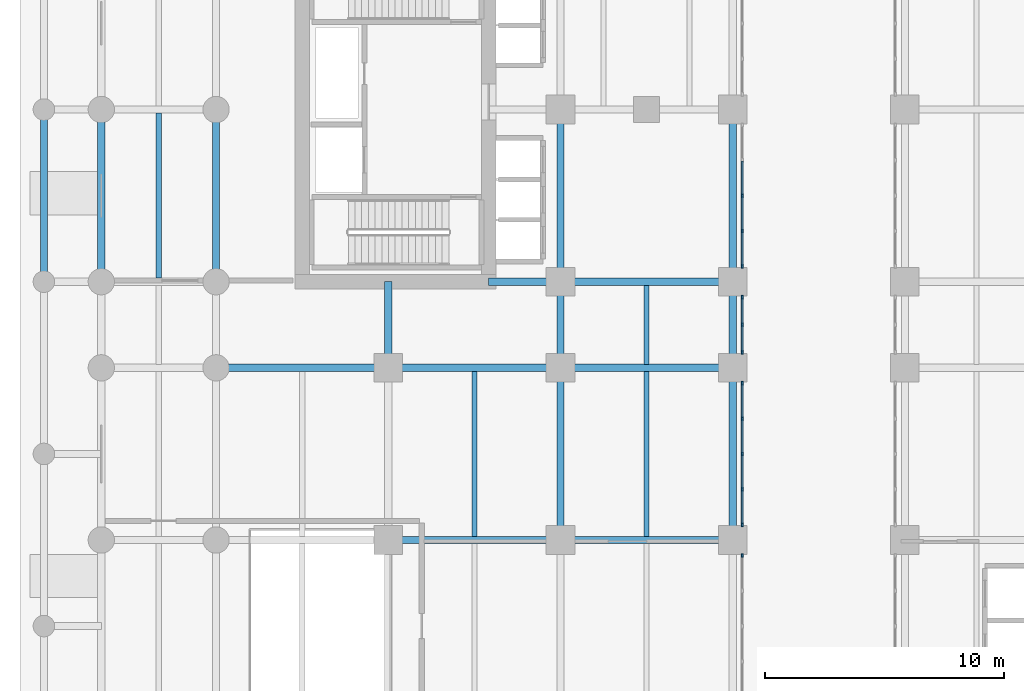
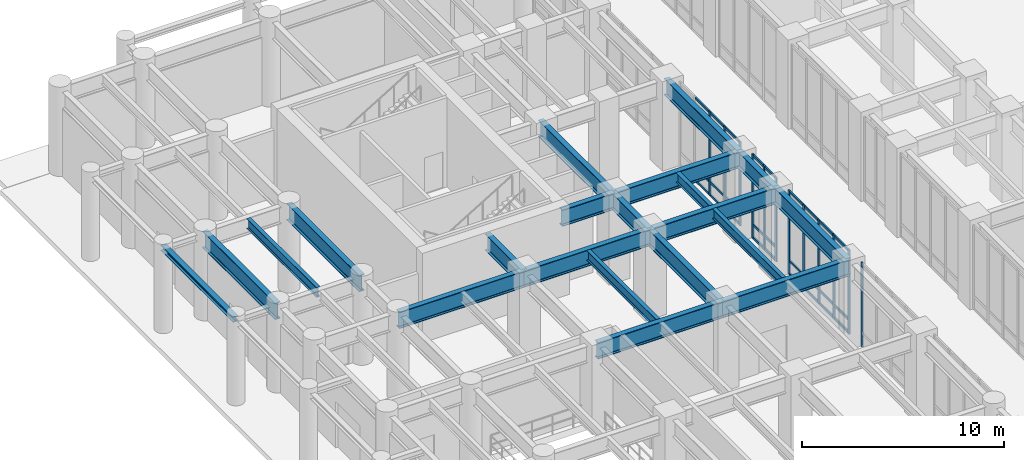
# One storey, part 3 of 23: 39 members, 21 beams, 4 elements without a shape of their own.
"""IFC4 building model written with IfcOpenShell, lengths in metres."""

from ifc_helpers import new_model, si_unit, derived_unit, direction, frame, origin, origin_2d, place, context, subcontext, project, spatial, rectangle, i_section, extrude, source, transform, mapped, material, layer, layer_set, material_profile, profile_set, type_object, type_shapes, element, aggregate, save


model = new_model("IFC4")

# Units and contexts
model_context = context("Model", 3, precision=1e-05, world=origin(), true_north=direction((0.0, 1.0)))
body_context = subcontext(model_context, "Body", "Model", "MODEL_VIEW")
ifc_project = project(units=[si_unit("LENGTHUNIT", "METRE"), si_unit("AREAUNIT", "SQUARE_METRE"), si_unit("VOLUMEUNIT", "CUBIC_METRE"), si_unit("PLANEANGLEUNIT", "RADIAN"), si_unit("MASSUNIT", "GRAM", prefix="KILO"), si_unit("THERMODYNAMICTEMPERATUREUNIT", "KELVIN"), si_unit("POWERUNIT", "WATT"), derived_unit("THERMALTRANSMITTANCEUNIT", [(si_unit("POWERUNIT", "WATT"), 1), (si_unit("AREAUNIT", "SQUARE_METRE"), -1), (si_unit("THERMODYNAMICTEMPERATUREUNIT", "KELVIN"), -1)])], contexts=[model_context])

# Site, building, storey
site_placement = place(None, origin())
site = spatial("IfcSite", under=ifc_project, at=site_placement, CompositionType="ELEMENT")
building_placement = place(site_placement, origin())
building = spatial("IfcBuilding", under=site, at=building_placement, Name="Zahravan Archway Hotel and Residences", CompositionType="ELEMENT")
storey_placement = place(building_placement, origin())
storey = spatial("IfcBuildingStorey", under=building, at=storey_placement, Name="L00", CompositionType="ELEMENT", Elevation=0.0)

# Beams
ifc_material_1 = material(Name="Structural Steel S355J2", Category="steel")
ifc_material_profile_1 = material_profile(ifc_material_1, i_section(OverallWidth=0.300048828125, OverallDepth=1.0, WebThickness=0.01904296875, FlangeThickness=0.035888671875, FilletRadius=0.030029296875, at=origin_2d()), Name="HEB 1000", Category="steel")
ifc_profile_set_1 = profile_set([ifc_material_profile_1], Name="Structural Steel S355J2")
beam_type_1 = type_object("IfcBeamType", Name="BM-PRI-HEB1000", PredefinedType="BEAM", material=ifc_profile_set_1)
shared_shape_1 = source(origin(), body_context, "Body", "SweptSolid", [
    extrude(i_section(OverallWidth=0.300048828125, OverallDepth=1.0, WebThickness=0.01904296875, FlangeThickness=0.035888671875, FilletRadius=0.030029296875, at=origin_2d()), origin(), (0.0, 0.0, 1.0), 7.199951171875),
])
for number, where, z_axis, x_axis, name in (
    (1, (7.199951171875, 14.39990234375, 4.60009765625), (1.0, 0.0, 0.0), (0.0, 1.0, 0.0), "L00 Primary Girder EW-21"),
    (2, (0.0, 21.60009765625, 4.60009765625), (1.0, 0.0, 0.0), (0.0, 1.0, 0.0), "L00 Primary Girder EW-28"),
    (3, (7.199951171875, 21.60009765625, 4.60009765625), (1.0, 0.0, 0.0), (0.0, 1.0, 0.0), "L00 Primary Girder EW-29"),
    (4, (-4.800048828125, 25.199951171875, 4.60009765625), (0.0, 1.0, 0.0), (-1.0, 0.0, 0.0), "L00 Primary Girder NS-66"),
    (5, (0.0, 25.199951171875, 4.60009765625), (0.0, 1.0, 0.0), (-1.0, 0.0, 0.0), "L00 Primary Girder NS-73"),
    (6, (14.39990234375, 25.199951171875, 4.60009765625), (0.0, 1.0, 0.0), (-1.0, 0.0, 0.0), "L00 Primary Girder NS-85"),
    (7, (21.60009765625, 25.199951171875, 4.60009765625), (0.0, 1.0, 0.0), (-1.0, 0.0, 0.0), "L00 Primary Girder NS-92"),
):
    element("IfcBeam", number, at=place(storey_placement, frame(where, z_axis=z_axis, x_axis=x_axis)), inside=storey, type_object=beam_type_1, Name=name, PredefinedType="BEAM", context=body_context, shape_type="MappedRepresentation", body=[
        mapped(shared_shape_1, transform((0.0, 0.0, 0.0), scale=1.0)),
    ])
shared_shape_2 = source(origin(), body_context, "Body", "SweptSolid", [
    extrude(i_section(OverallWidth=0.300048828125, OverallDepth=1.0, WebThickness=0.01904296875, FlangeThickness=0.035888671875, FilletRadius=0.030029296875, at=origin_2d()), origin(), (0.0, 0.0, 1.0), 7.2001953125),
])
for number, where, z_axis, x_axis, name in (
    (8, (14.39990234375, 14.39990234375, 4.60009765625), (1.0, 0.0, 0.0), (0.0, 1.0, 0.0), "L00 Primary Girder EW-22"),
    (9, (14.39990234375, 21.60009765625, 4.60009765625), (1.0, 0.0, 0.0), (0.0, 1.0, 0.0), "L00 Primary Girder EW-30"),
    (10, (14.39990234375, 25.199951171875, 4.60009765625), (1.0, 0.0, 0.0), (0.0, 1.0, 0.0), "L00 Primary Girder EW-39"),
    (11, (14.39990234375, 14.39990234375, 4.60009765625), (0.0, 1.0, 0.0), (-1.0, 0.0, 0.0), "L00 Primary Girder NS-83"),
    (12, (21.60009765625, 14.39990234375, 4.60009765625), (0.0, 1.0, 0.0), (-1.0, 0.0, 0.0), "L00 Primary Girder NS-90"),
):
    element("IfcBeam", number, at=place(storey_placement, frame(where, z_axis=z_axis, x_axis=x_axis)), inside=storey, type_object=beam_type_1, Name=name, PredefinedType="BEAM", context=body_context, shape_type="MappedRepresentation", body=[
        mapped(shared_shape_2, transform((0.0, 0.0, 0.0), scale=1.0)),
    ])
shared_shape_3 = source(origin(), body_context, "Body", "SweptSolid", [
    extrude(i_section(OverallWidth=0.300048828125, OverallDepth=1.0, WebThickness=0.01904296875, FlangeThickness=0.035888671875, FilletRadius=0.030029296875, at=origin_2d()), origin(), (0.0, 0.0, 1.0), 3.0),
])
beam_1_placement = place(storey_placement, frame((11.39990234375, 25.199951171875, 4.60009765625), z_axis=(1.0, 0.0, 0.0), x_axis=(0.0, 1.0, 0.0)))
element("IfcBeam", 13, at=beam_1_placement, inside=storey, type_object=beam_type_1, Name="L00 Primary Girder EW-38", PredefinedType="BEAM", context=body_context, shape_type="MappedRepresentation", body=[
    mapped(shared_shape_3, transform((0.0, 0.0, 0.0), scale=1.0)),
])
shared_shape_4 = source(origin(), body_context, "Body", "SweptSolid", [
    extrude(i_section(OverallWidth=0.300048828125, OverallDepth=1.0, WebThickness=0.01904296875, FlangeThickness=0.035888671875, FilletRadius=0.030029296875, at=origin_2d()), origin(), (0.0, 0.0, 1.0), 3.599853515625),
])
for number, where, z_axis, x_axis, name in (
    (14, (7.199951171875, 21.60009765625, 4.60009765625), (0.0, 1.0, 0.0), (-1.0, 0.0, 0.0), "L00 Primary Girder NS-79"),
    (15, (14.39990234375, 21.60009765625, 4.60009765625), (0.0, 1.0, 0.0), (-1.0, 0.0, 0.0), "L00 Primary Girder NS-84"),
    (16, (21.60009765625, 21.60009765625, 4.60009765625), (0.0, 1.0, 0.0), (-1.0, 0.0, 0.0), "L00 Primary Girder NS-91"),
):
    element("IfcBeam", number, at=place(storey_placement, frame(where, z_axis=z_axis, x_axis=x_axis)), inside=storey, type_object=beam_type_1, Name=name, PredefinedType="BEAM", context=body_context, shape_type="MappedRepresentation", body=[
        mapped(shared_shape_4, transform((0.0, 0.0, 0.0), scale=1.0)),
    ])
ifc_material_2 = material(Name="Structural Steel S355JR", Category="steel")
ifc_material_profile_2 = material_profile(ifc_material_2, i_section(OverallWidth=0.219970703125, OverallDepth=0.60009765625, WebThickness=0.011962890625, FlangeThickness=0.01904296875, FilletRadius=0.02392578125, at=origin_2d()), Name="IPE 600", Category="steel")
ifc_profile_set_2 = profile_set([ifc_material_profile_2], Name="Structural Steel S355JR")
beam_type_2 = type_object("IfcBeamType", Name="BM-JST-IPE600", PredefinedType="JOIST", material=ifc_profile_set_2)
shared_shape_5 = source(origin(), body_context, "Body", "SweptSolid", [
    extrude(i_section(OverallWidth=0.219970703125, OverallDepth=0.60009765625, WebThickness=0.011962890625, FlangeThickness=0.01904296875, FilletRadius=0.02392578125, at=origin_2d()), origin(), (0.0, 0.0, 1.0), 6.904052734375),
])
type_shapes(beam_type_2, [shared_shape_5])
beam_2_placement = place(storey_placement, frame((-2.39990234375, 25.347900390625, 4.800048828125), z_axis=(0.0, 1.0, 0.0), x_axis=(-1.0, 0.0, 0.0)))
element("IfcBeam", 17, at=beam_2_placement, inside=storey, type_object=beam_type_2, Name="L00 Composite Floor Joist 28", PredefinedType="JOIST", context=body_context, shape_type="MappedRepresentation", body=[
    mapped(shared_shape_5, transform((0.0, 0.0, 0.0), scale=1.0)),
])
shared_shape_6 = source(origin(), body_context, "Body", "SweptSolid", [
    extrude(i_section(OverallWidth=0.219970703125, OverallDepth=0.60009765625, WebThickness=0.011962890625, FlangeThickness=0.01904296875, FilletRadius=0.02392578125, at=origin_2d()), origin(), (0.0, 0.0, 1.0), 6.90380859375),
])
for number, where, z_axis, x_axis, name in (
    (18, (10.800048828125, 14.548095703125, 4.800048828125), (0.0, 1.0, 0.0), (-1.0, 0.0, 0.0), "L00 Composite Floor Joist 19"),
    (19, (18.0, 14.548095703125, 4.800048828125), (0.0, 1.0, 0.0), (-1.0, 0.0, 0.0), "L00 Composite Floor Joist 20"),
):
    element("IfcBeam", number, at=place(storey_placement, frame(where, z_axis=z_axis, x_axis=x_axis)), inside=storey, type_object=beam_type_2, Name=name, PredefinedType="JOIST", context=body_context, shape_type="MappedRepresentation", body=[
        mapped(shared_shape_6, transform((0.0, 0.0, 0.0), scale=1.0)),
    ])
shared_shape_7 = source(origin(), body_context, "Body", "SweptSolid", [
    extrude(i_section(OverallWidth=0.219970703125, OverallDepth=0.60009765625, WebThickness=0.011962890625, FlangeThickness=0.01904296875, FilletRadius=0.02392578125, at=origin_2d()), origin(), (0.0, 0.0, 1.0), 3.303955078125),
])
beam_3_placement = place(storey_placement, frame((18.0, 21.748046875, 4.800048828125), z_axis=(0.0, 1.0, 0.0), x_axis=(-1.0, 0.0, 0.0)))
element("IfcBeam", 20, at=beam_3_placement, inside=storey, type_object=beam_type_2, Name="L00 Composite Floor Joist 26", PredefinedType="JOIST", context=body_context, shape_type="MappedRepresentation", body=[
    mapped(shared_shape_7, transform((0.0, 0.0, 0.0), scale=1.0)),
])
ifc_material_profile_3 = material_profile(ifc_material_2, i_section(OverallWidth=0.300048828125, OverallDepth=0.320068359375, WebThickness=0.011474609375, FlangeThickness=0.0205078125, FilletRadius=0.027099609375, at=origin_2d()), Name="HEB 320", Category="steel")
ifc_profile_set_3 = profile_set([ifc_material_profile_3], Name="Structural Steel S355JR")
beam_type_3 = type_object("IfcBeamType", Name="BM-SPN-HEB320", PredefinedType="SPANDREL", material=ifc_profile_set_3)
shared_shape_8 = source(origin(), body_context, "Body", "SweptSolid", [
    extrude(i_section(OverallWidth=0.300048828125, OverallDepth=0.320068359375, WebThickness=0.011474609375, FlangeThickness=0.0205078125, FilletRadius=0.027099609375, at=origin_2d()), origin(), (0.0, 0.0, 1.0), 7.199951171875),
])
type_shapes(beam_type_3, [shared_shape_8])
beam_4_placement = place(storey_placement, frame((-7.199951171875, 25.199951171875, 4.93994140625), z_axis=(0.0, 1.0, 0.0), x_axis=(-1.0, 0.0, 0.0)))
element("IfcBeam", 21, at=beam_4_placement, inside=storey, type_object=beam_type_3, Name="L00 West Colonnade Spandrel 4", PredefinedType="SPANDREL", context=body_context, shape_type="MappedRepresentation", body=[
    mapped(shared_shape_8, transform((0.0, 0.0, 0.0), scale=1.0)),
])

# Curtain wall, member
ifc_material_3 = material(Name="Bronze-Anodized Unitised Aluminium & Low-E Glass", Category="aluminium")
ifc_layer = layer(ifc_material_3, 0.179931640625, Name="Bronze-Anodized Unitised Aluminium & Low-E Glass", Category="aluminium")
ifc_layer_set = layer_set([ifc_layer], Name="Bronze-Anodized Unitised Aluminium & Low-E Glass")
curtain_wall_type = type_object("IfcCurtainWallType", Name="CW-POD-ARCH", PredefinedType="NOTDEFINED", material=ifc_layer_set)
curtain_wall_1_placement = place(storey_placement, origin())
curtain_wall_1 = element("IfcCurtainWall", 22, at=curtain_wall_1_placement, inside=storey, type_object=curtain_wall_type, Name="L00 Curtain Wall CW-PORTW-L00-2", PredefinedType="NOTDEFINED")
ifc_material_4 = material(Name="Bronze-Anodized Extruded Aluminium", Category="aluminium")
ifc_material_profile_4 = material_profile(ifc_material_4, rectangle(XDim=0.080078125, YDim=0.159912109375, at=origin_2d()), Name="MUL 80x160", Category="aluminium")
ifc_profile_set_4 = profile_set([ifc_material_profile_4], Name="Bronze-Anodized Extruded Aluminium")
member_type_1 = type_object("IfcMemberType", Name="CWM-MUL-160", PredefinedType="MULLION", material=ifc_profile_set_4)
shared_shape_9 = source(origin(), body_context, "Body", "SweptSolid", [
    extrude(rectangle(XDim=0.080078125, YDim=0.159912109375, at=origin_2d()), origin(), (0.0, 0.0, 1.0), 5.10009765625),
])
member_1_placement = place(storey_placement, frame((22.0, 13.7548828125, 0.0), z_axis=(0.0, 0.0, 1.0), x_axis=(1.0, 0.0, 0.0)))
member_1 = element("IfcMember", 23, at=member_1_placement, type_object=member_type_1, Name="CW-PORTW-L00-2 Mullion 4", PredefinedType="MULLION", context=body_context, shape_type="MappedRepresentation", body=[
    mapped(shared_shape_9, transform((0.0, 0.0, 0.0), scale=1.0)),
])
aggregate(curtain_wall_1, [member_1])

# Curtain wall, members
curtain_wall_2_placement = place(storey_placement, origin())
curtain_wall_2 = element("IfcCurtainWall", 24, at=curtain_wall_2_placement, inside=storey, type_object=curtain_wall_type, Name="L00 Curtain Wall CW-PORTW-L00-3", PredefinedType="NOTDEFINED")
member_2_placement = place(storey_placement, frame((22.0, 15.045166015625, 0.0), z_axis=(0.0, 0.0, 1.0), x_axis=(1.0, 0.0, 0.0)))
member_2 = element("IfcMember", 25, at=member_2_placement, type_object=member_type_1, Name="CW-PORTW-L00-3 Mullion 0", PredefinedType="MULLION", context=body_context, shape_type="MappedRepresentation", body=[
    mapped(shared_shape_9, transform((0.0, 0.0, 0.0), scale=1.0)),
])
member_3_placement = place(storey_placement, frame((22.0, 16.522705078125, 0.0), z_axis=(0.0, 0.0, 1.0), x_axis=(1.0, 0.0, 0.0)))
member_3 = element("IfcMember", 26, at=member_3_placement, type_object=member_type_1, Name="CW-PORTW-L00-3 Mullion 1", PredefinedType="MULLION", context=body_context, shape_type="MappedRepresentation", body=[
    mapped(shared_shape_9, transform((0.0, 0.0, 0.0), scale=1.0)),
])
member_4_placement = place(storey_placement, frame((22.0, 18.0, 0.0), z_axis=(0.0, 0.0, 1.0), x_axis=(1.0, 0.0, 0.0)))
member_4 = element("IfcMember", 27, at=member_4_placement, type_object=member_type_1, Name="CW-PORTW-L00-3 Mullion 2", PredefinedType="MULLION", context=body_context, shape_type="MappedRepresentation", body=[
    mapped(shared_shape_9, transform((0.0, 0.0, 0.0), scale=1.0)),
])
member_5_placement = place(storey_placement, frame((22.0, 19.477294921875, 0.0), z_axis=(0.0, 0.0, 1.0), x_axis=(1.0, 0.0, 0.0)))
member_5 = element("IfcMember", 28, at=member_5_placement, type_object=member_type_1, Name="CW-PORTW-L00-3 Mullion 3", PredefinedType="MULLION", context=body_context, shape_type="MappedRepresentation", body=[
    mapped(shared_shape_9, transform((0.0, 0.0, 0.0), scale=1.0)),
])
member_6_placement = place(storey_placement, frame((22.0, 20.954833984375, 0.0), z_axis=(0.0, 0.0, 1.0), x_axis=(1.0, 0.0, 0.0)))
member_6 = element("IfcMember", 29, at=member_6_placement, type_object=member_type_1, Name="CW-PORTW-L00-3 Mullion 4", PredefinedType="MULLION", context=body_context, shape_type="MappedRepresentation", body=[
    mapped(shared_shape_9, transform((0.0, 0.0, 0.0), scale=1.0)),
])

curtain_wall_3_placement = place(storey_placement, origin())
curtain_wall_3 = element("IfcCurtainWall", 30, at=curtain_wall_3_placement, inside=storey, type_object=curtain_wall_type, Name="L00 Curtain Wall CW-PORTW-L00-4", PredefinedType="NOTDEFINED")
member_7_placement = place(storey_placement, frame((22.0, 22.2451171875, 0.0), z_axis=(0.0, 0.0, 1.0), x_axis=(1.0, 0.0, 0.0)))
member_7 = element("IfcMember", 31, at=member_7_placement, type_object=member_type_1, Name="CW-PORTW-L00-4 Mullion 0", PredefinedType="MULLION", context=body_context, shape_type="MappedRepresentation", body=[
    mapped(shared_shape_9, transform((0.0, 0.0, 0.0), scale=1.0)),
])
member_8_placement = place(storey_placement, frame((22.0, 23.39990234375, 0.0), z_axis=(0.0, 0.0, 1.0), x_axis=(1.0, 0.0, 0.0)))
member_8 = element("IfcMember", 32, at=member_8_placement, type_object=member_type_1, Name="CW-PORTW-L00-4 Mullion 1", PredefinedType="MULLION", context=body_context, shape_type="MappedRepresentation", body=[
    mapped(shared_shape_9, transform((0.0, 0.0, 0.0), scale=1.0)),
])
member_9_placement = place(storey_placement, frame((22.0, 24.5546875, 0.0), z_axis=(0.0, 0.0, 1.0), x_axis=(1.0, 0.0, 0.0)))
member_9 = element("IfcMember", 33, at=member_9_placement, type_object=member_type_1, Name="CW-PORTW-L00-4 Mullion 2", PredefinedType="MULLION", context=body_context, shape_type="MappedRepresentation", body=[
    mapped(shared_shape_9, transform((0.0, 0.0, 0.0), scale=1.0)),
])

curtain_wall_4_placement = place(storey_placement, origin())
curtain_wall_4 = element("IfcCurtainWall", 34, at=curtain_wall_4_placement, inside=storey, type_object=curtain_wall_type, Name="L00 Curtain Wall CW-PORTW-L00-5", PredefinedType="NOTDEFINED")
member_10_placement = place(storey_placement, frame((22.0, 25.84521484375, 0.0), z_axis=(0.0, 0.0, 1.0), x_axis=(1.0, 0.0, 0.0)))
member_10 = element("IfcMember", 35, at=member_10_placement, type_object=member_type_1, Name="CW-PORTW-L00-5 Mullion 0", PredefinedType="MULLION", context=body_context, shape_type="MappedRepresentation", body=[
    mapped(shared_shape_9, transform((0.0, 0.0, 0.0), scale=1.0)),
])
member_11_placement = place(storey_placement, frame((22.0, 27.322509765625, 0.0), z_axis=(0.0, 0.0, 1.0), x_axis=(1.0, 0.0, 0.0)))
member_11 = element("IfcMember", 36, at=member_11_placement, type_object=member_type_1, Name="CW-PORTW-L00-5 Mullion 1", PredefinedType="MULLION", context=body_context, shape_type="MappedRepresentation", body=[
    mapped(shared_shape_9, transform((0.0, 0.0, 0.0), scale=1.0)),
])
member_12_placement = place(storey_placement, frame((22.0, 28.800048828125, 0.0), z_axis=(0.0, 0.0, 1.0), x_axis=(1.0, 0.0, 0.0)))
member_12 = element("IfcMember", 37, at=member_12_placement, type_object=member_type_1, Name="CW-PORTW-L00-5 Mullion 2", PredefinedType="MULLION", context=body_context, shape_type="MappedRepresentation", body=[
    mapped(shared_shape_9, transform((0.0, 0.0, 0.0), scale=1.0)),
])
ifc_material_profile_5 = material_profile(ifc_material_4, rectangle(XDim=0.080078125, YDim=0.139892578125, at=origin_2d()), Name="TRN 80x140", Category="aluminium")
ifc_profile_set_5 = profile_set([ifc_material_profile_5], Name="Bronze-Anodized Extruded Aluminium")
member_type_2 = type_object("IfcMemberType", Name="CWM-TRN-140", PredefinedType="USERDEFINED", material=ifc_profile_set_5)
shared_shape_10 = source(origin(), body_context, "Body", "SweptSolid", [
    extrude(rectangle(XDim=0.080078125, YDim=0.139892578125, at=origin_2d()), origin(), (0.0, 0.0, 1.0), 1.397216796875),
])
member_13_placement = place(storey_placement, frame((22.0, 28.840087890625, 0.070068359375), z_axis=(0.0, 1.0, 0.0), x_axis=(-1.0, 0.0, 0.0)))
member_13 = element("IfcMember", 38, at=member_13_placement, type_object=member_type_2, Name="CW-PORTW-L00-5 Transom 2-1", ObjectType="TRANSOM", PredefinedType="USERDEFINED", context=body_context, shape_type="MappedRepresentation", body=[
    mapped(shared_shape_10, transform((0.0, 0.0, 0.0), scale=1.0)),
])
member_14_placement = place(storey_placement, frame((22.0, 28.840087890625, 0.85009765625), z_axis=(0.0, 1.0, 0.0), x_axis=(-1.0, 0.0, 0.0)))
member_14 = element("IfcMember", 39, at=member_14_placement, type_object=member_type_2, Name="CW-PORTW-L00-5 Transom 2-2", ObjectType="TRANSOM", PredefinedType="USERDEFINED", context=body_context, shape_type="MappedRepresentation", body=[
    mapped(shared_shape_10, transform((0.0, 0.0, 0.0), scale=1.0)),
])
member_15_placement = place(storey_placement, frame((22.0, 28.840087890625, 5.030029296875), z_axis=(0.0, 1.0, 0.0), x_axis=(-1.0, 0.0, 0.0)))
member_15 = element("IfcMember", 40, at=member_15_placement, type_object=member_type_2, Name="CW-PORTW-L00-5 Transom 2-3", ObjectType="TRANSOM", PredefinedType="USERDEFINED", context=body_context, shape_type="MappedRepresentation", body=[
    mapped(shared_shape_10, transform((0.0, 0.0, 0.0), scale=1.0)),
])

# Member
shared_shape_11 = source(origin(), body_context, "Body", "SweptSolid", [
    extrude(rectangle(XDim=0.080078125, YDim=0.139892578125, at=origin_2d()), origin(), (0.0, 0.0, 1.0), 1.3974609375),
])
member_16_placement = place(storey_placement, frame((22.0, 15.085205078125, 0.070068359375), z_axis=(0.0, 1.0, 0.0), x_axis=(-1.0, 0.0, 0.0)))
member_16 = element("IfcMember", 41, at=member_16_placement, type_object=member_type_2, Name="CW-PORTW-L00-3 Transom 0-1", ObjectType="TRANSOM", PredefinedType="USERDEFINED", context=body_context, shape_type="MappedRepresentation", body=[
    mapped(shared_shape_11, transform((0.0, 0.0, 0.0), scale=1.0)),
])

member_17_placement = place(storey_placement, frame((22.0, 15.085205078125, 0.85009765625), z_axis=(0.0, 1.0, 0.0), x_axis=(-1.0, 0.0, 0.0)))
member_17 = element("IfcMember", 42, at=member_17_placement, type_object=member_type_2, Name="CW-PORTW-L00-3 Transom 0-2", ObjectType="TRANSOM", PredefinedType="USERDEFINED", context=body_context, shape_type="MappedRepresentation", body=[
    mapped(shared_shape_11, transform((0.0, 0.0, 0.0), scale=1.0)),
])

member_18_placement = place(storey_placement, frame((22.0, 15.085205078125, 5.030029296875), z_axis=(0.0, 1.0, 0.0), x_axis=(-1.0, 0.0, 0.0)))
member_18 = element("IfcMember", 43, at=member_18_placement, type_object=member_type_2, Name="CW-PORTW-L00-3 Transom 0-3", ObjectType="TRANSOM", PredefinedType="USERDEFINED", context=body_context, shape_type="MappedRepresentation", body=[
    mapped(shared_shape_11, transform((0.0, 0.0, 0.0), scale=1.0)),
])

member_19_placement = place(storey_placement, frame((22.0, 16.5625, 0.070068359375), z_axis=(0.0, 1.0, 0.0), x_axis=(-1.0, 0.0, 0.0)))
member_19 = element("IfcMember", 44, at=member_19_placement, type_object=member_type_2, Name="CW-PORTW-L00-3 Transom 1-1", ObjectType="TRANSOM", PredefinedType="USERDEFINED", context=body_context, shape_type="MappedRepresentation", body=[
    mapped(shared_shape_11, transform((0.0, 0.0, 0.0), scale=1.0)),
])

member_20_placement = place(storey_placement, frame((22.0, 16.5625, 0.85009765625), z_axis=(0.0, 1.0, 0.0), x_axis=(-1.0, 0.0, 0.0)))
member_20 = element("IfcMember", 45, at=member_20_placement, type_object=member_type_2, Name="CW-PORTW-L00-3 Transom 1-2", ObjectType="TRANSOM", PredefinedType="USERDEFINED", context=body_context, shape_type="MappedRepresentation", body=[
    mapped(shared_shape_11, transform((0.0, 0.0, 0.0), scale=1.0)),
])

member_21_placement = place(storey_placement, frame((22.0, 16.5625, 5.030029296875), z_axis=(0.0, 1.0, 0.0), x_axis=(-1.0, 0.0, 0.0)))
member_21 = element("IfcMember", 46, at=member_21_placement, type_object=member_type_2, Name="CW-PORTW-L00-3 Transom 1-3", ObjectType="TRANSOM", PredefinedType="USERDEFINED", context=body_context, shape_type="MappedRepresentation", body=[
    mapped(shared_shape_11, transform((0.0, 0.0, 0.0), scale=1.0)),
])

member_22_placement = place(storey_placement, frame((22.0, 18.0400390625, 0.070068359375), z_axis=(0.0, 1.0, 0.0), x_axis=(-1.0, 0.0, 0.0)))
member_22 = element("IfcMember", 47, at=member_22_placement, type_object=member_type_2, Name="CW-PORTW-L00-3 Transom 2-1", ObjectType="TRANSOM", PredefinedType="USERDEFINED", context=body_context, shape_type="MappedRepresentation", body=[
    mapped(shared_shape_11, transform((0.0, 0.0, 0.0), scale=1.0)),
])

member_23_placement = place(storey_placement, frame((22.0, 18.0400390625, 0.85009765625), z_axis=(0.0, 1.0, 0.0), x_axis=(-1.0, 0.0, 0.0)))
member_23 = element("IfcMember", 48, at=member_23_placement, type_object=member_type_2, Name="CW-PORTW-L00-3 Transom 2-2", ObjectType="TRANSOM", PredefinedType="USERDEFINED", context=body_context, shape_type="MappedRepresentation", body=[
    mapped(shared_shape_11, transform((0.0, 0.0, 0.0), scale=1.0)),
])

member_24_placement = place(storey_placement, frame((22.0, 18.0400390625, 5.030029296875), z_axis=(0.0, 1.0, 0.0), x_axis=(-1.0, 0.0, 0.0)))
member_24 = element("IfcMember", 49, at=member_24_placement, type_object=member_type_2, Name="CW-PORTW-L00-3 Transom 2-3", ObjectType="TRANSOM", PredefinedType="USERDEFINED", context=body_context, shape_type="MappedRepresentation", body=[
    mapped(shared_shape_11, transform((0.0, 0.0, 0.0), scale=1.0)),
])

member_25_placement = place(storey_placement, frame((22.0, 19.517333984375, 0.070068359375), z_axis=(0.0, 1.0, 0.0), x_axis=(-1.0, 0.0, 0.0)))
member_25 = element("IfcMember", 50, at=member_25_placement, type_object=member_type_2, Name="CW-PORTW-L00-3 Transom 3-1", ObjectType="TRANSOM", PredefinedType="USERDEFINED", context=body_context, shape_type="MappedRepresentation", body=[
    mapped(shared_shape_11, transform((0.0, 0.0, 0.0), scale=1.0)),
])

member_26_placement = place(storey_placement, frame((22.0, 19.517333984375, 0.85009765625), z_axis=(0.0, 1.0, 0.0), x_axis=(-1.0, 0.0, 0.0)))
member_26 = element("IfcMember", 51, at=member_26_placement, type_object=member_type_2, Name="CW-PORTW-L00-3 Transom 3-2", ObjectType="TRANSOM", PredefinedType="USERDEFINED", context=body_context, shape_type="MappedRepresentation", body=[
    mapped(shared_shape_11, transform((0.0, 0.0, 0.0), scale=1.0)),
])

member_27_placement = place(storey_placement, frame((22.0, 19.517333984375, 5.030029296875), z_axis=(0.0, 1.0, 0.0), x_axis=(-1.0, 0.0, 0.0)))
member_27 = element("IfcMember", 52, at=member_27_placement, type_object=member_type_2, Name="CW-PORTW-L00-3 Transom 3-3", ObjectType="TRANSOM", PredefinedType="USERDEFINED", context=body_context, shape_type="MappedRepresentation", body=[
    mapped(shared_shape_11, transform((0.0, 0.0, 0.0), scale=1.0)),
])

aggregate(curtain_wall_2, [member_2, member_3, member_4, member_5, member_6, member_16, member_17, member_18, member_19, member_20, member_21, member_22, member_23, member_24, member_25, member_26, member_27])

member_28_placement = place(storey_placement, frame((22.0, 25.88525390625, 0.070068359375), z_axis=(0.0, 1.0, 0.0), x_axis=(-1.0, 0.0, 0.0)))
member_28 = element("IfcMember", 53, at=member_28_placement, type_object=member_type_2, Name="CW-PORTW-L00-5 Transom 0-1", ObjectType="TRANSOM", PredefinedType="USERDEFINED", context=body_context, shape_type="MappedRepresentation", body=[
    mapped(shared_shape_11, transform((0.0, 0.0, 0.0), scale=1.0)),
])

member_29_placement = place(storey_placement, frame((22.0, 25.88525390625, 0.85009765625), z_axis=(0.0, 1.0, 0.0), x_axis=(-1.0, 0.0, 0.0)))
member_29 = element("IfcMember", 54, at=member_29_placement, type_object=member_type_2, Name="CW-PORTW-L00-5 Transom 0-2", ObjectType="TRANSOM", PredefinedType="USERDEFINED", context=body_context, shape_type="MappedRepresentation", body=[
    mapped(shared_shape_11, transform((0.0, 0.0, 0.0), scale=1.0)),
])

member_30_placement = place(storey_placement, frame((22.0, 25.88525390625, 5.030029296875), z_axis=(0.0, 1.0, 0.0), x_axis=(-1.0, 0.0, 0.0)))
member_30 = element("IfcMember", 55, at=member_30_placement, type_object=member_type_2, Name="CW-PORTW-L00-5 Transom 0-3", ObjectType="TRANSOM", PredefinedType="USERDEFINED", context=body_context, shape_type="MappedRepresentation", body=[
    mapped(shared_shape_11, transform((0.0, 0.0, 0.0), scale=1.0)),
])

member_31_placement = place(storey_placement, frame((22.0, 27.362548828125, 0.070068359375), z_axis=(0.0, 1.0, 0.0), x_axis=(-1.0, 0.0, 0.0)))
member_31 = element("IfcMember", 56, at=member_31_placement, type_object=member_type_2, Name="CW-PORTW-L00-5 Transom 1-1", ObjectType="TRANSOM", PredefinedType="USERDEFINED", context=body_context, shape_type="MappedRepresentation", body=[
    mapped(shared_shape_11, transform((0.0, 0.0, 0.0), scale=1.0)),
])

member_32_placement = place(storey_placement, frame((22.0, 27.362548828125, 0.85009765625), z_axis=(0.0, 1.0, 0.0), x_axis=(-1.0, 0.0, 0.0)))
member_32 = element("IfcMember", 57, at=member_32_placement, type_object=member_type_2, Name="CW-PORTW-L00-5 Transom 1-2", ObjectType="TRANSOM", PredefinedType="USERDEFINED", context=body_context, shape_type="MappedRepresentation", body=[
    mapped(shared_shape_11, transform((0.0, 0.0, 0.0), scale=1.0)),
])

member_33_placement = place(storey_placement, frame((22.0, 27.362548828125, 5.030029296875), z_axis=(0.0, 1.0, 0.0), x_axis=(-1.0, 0.0, 0.0)))
member_33 = element("IfcMember", 58, at=member_33_placement, type_object=member_type_2, Name="CW-PORTW-L00-5 Transom 1-3", ObjectType="TRANSOM", PredefinedType="USERDEFINED", context=body_context, shape_type="MappedRepresentation", body=[
    mapped(shared_shape_11, transform((0.0, 0.0, 0.0), scale=1.0)),
])

aggregate(curtain_wall_4, [member_10, member_11, member_12, member_28, member_29, member_30, member_31, member_32, member_33, member_13, member_14, member_15])

shared_shape_12 = source(origin(), body_context, "Body", "SweptSolid", [
    extrude(rectangle(XDim=0.080078125, YDim=0.139892578125, at=origin_2d()), origin(), (0.0, 0.0, 1.0), 1.074951171875),
])
member_34_placement = place(storey_placement, frame((22.0, 22.28515625, 0.070068359375), z_axis=(0.0, 1.0, 0.0), x_axis=(-1.0, 0.0, 0.0)))
member_34 = element("IfcMember", 59, at=member_34_placement, type_object=member_type_2, Name="CW-PORTW-L00-4 Transom 0-1", ObjectType="TRANSOM", PredefinedType="USERDEFINED", context=body_context, shape_type="MappedRepresentation", body=[
    mapped(shared_shape_12, transform((0.0, 0.0, 0.0), scale=1.0)),
])

member_35_placement = place(storey_placement, frame((22.0, 22.28515625, 0.85009765625), z_axis=(0.0, 1.0, 0.0), x_axis=(-1.0, 0.0, 0.0)))
member_35 = element("IfcMember", 60, at=member_35_placement, type_object=member_type_2, Name="CW-PORTW-L00-4 Transom 0-2", ObjectType="TRANSOM", PredefinedType="USERDEFINED", context=body_context, shape_type="MappedRepresentation", body=[
    mapped(shared_shape_12, transform((0.0, 0.0, 0.0), scale=1.0)),
])

member_36_placement = place(storey_placement, frame((22.0, 22.28515625, 5.030029296875), z_axis=(0.0, 1.0, 0.0), x_axis=(-1.0, 0.0, 0.0)))
member_36 = element("IfcMember", 61, at=member_36_placement, type_object=member_type_2, Name="CW-PORTW-L00-4 Transom 0-3", ObjectType="TRANSOM", PredefinedType="USERDEFINED", context=body_context, shape_type="MappedRepresentation", body=[
    mapped(shared_shape_12, transform((0.0, 0.0, 0.0), scale=1.0)),
])

member_37_placement = place(storey_placement, frame((22.0, 23.43994140625, 0.070068359375), z_axis=(0.0, 1.0, 0.0), x_axis=(-1.0, 0.0, 0.0)))
member_37 = element("IfcMember", 62, at=member_37_placement, type_object=member_type_2, Name="CW-PORTW-L00-4 Transom 1-1", ObjectType="TRANSOM", PredefinedType="USERDEFINED", context=body_context, shape_type="MappedRepresentation", body=[
    mapped(shared_shape_12, transform((0.0, 0.0, 0.0), scale=1.0)),
])

member_38_placement = place(storey_placement, frame((22.0, 23.43994140625, 0.85009765625), z_axis=(0.0, 1.0, 0.0), x_axis=(-1.0, 0.0, 0.0)))
member_38 = element("IfcMember", 63, at=member_38_placement, type_object=member_type_2, Name="CW-PORTW-L00-4 Transom 1-2", ObjectType="TRANSOM", PredefinedType="USERDEFINED", context=body_context, shape_type="MappedRepresentation", body=[
    mapped(shared_shape_12, transform((0.0, 0.0, 0.0), scale=1.0)),
])

member_39_placement = place(storey_placement, frame((22.0, 23.43994140625, 5.030029296875), z_axis=(0.0, 1.0, 0.0), x_axis=(-1.0, 0.0, 0.0)))
member_39 = element("IfcMember", 64, at=member_39_placement, type_object=member_type_2, Name="CW-PORTW-L00-4 Transom 1-3", ObjectType="TRANSOM", PredefinedType="USERDEFINED", context=body_context, shape_type="MappedRepresentation", body=[
    mapped(shared_shape_12, transform((0.0, 0.0, 0.0), scale=1.0)),
])

aggregate(curtain_wall_3, [member_7, member_8, member_9, member_34, member_35, member_36, member_37, member_38, member_39])

save(model, "model.ifc")
